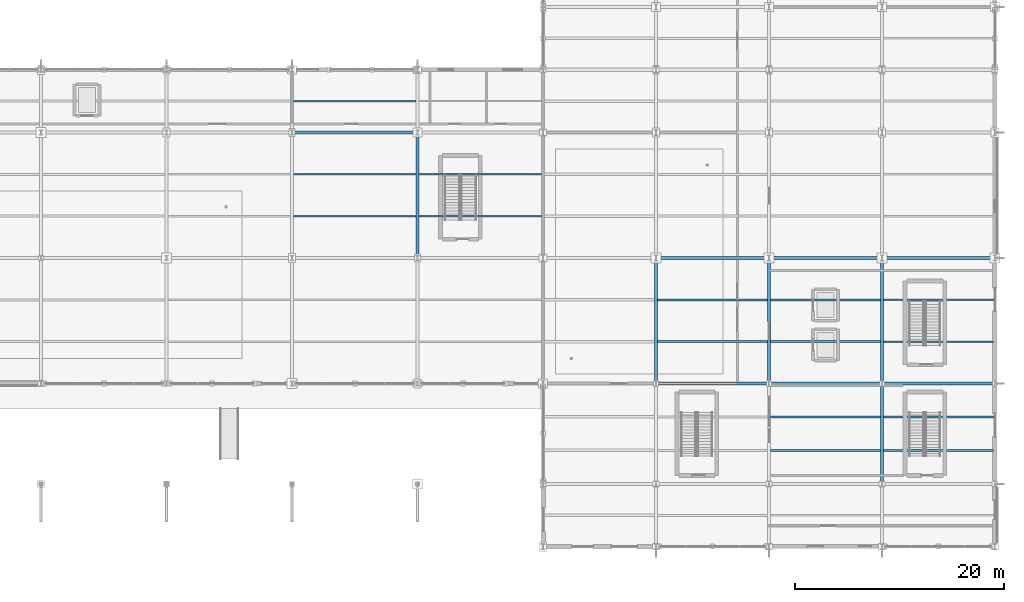
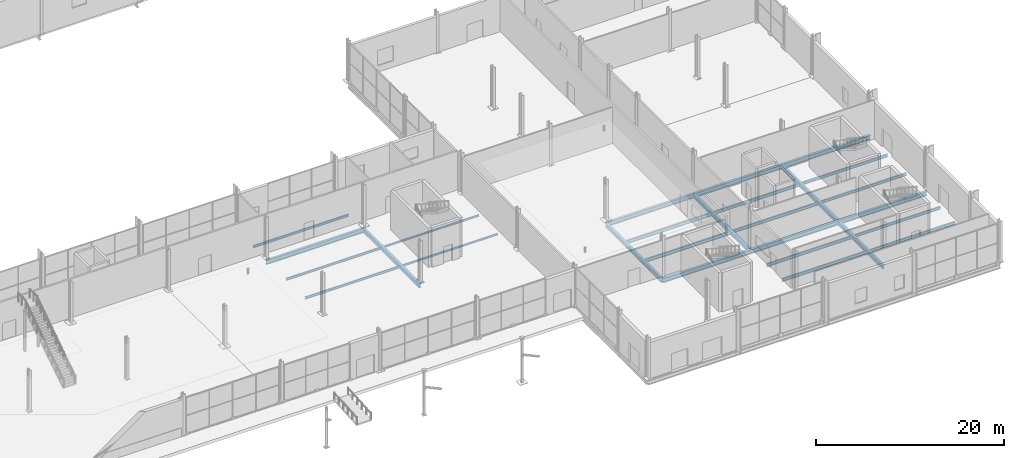
# One storey, part 133 of 196: 27 beams.
"""IFC4 building model written with IfcOpenShell, lengths in metres."""

from ifc_helpers import new_model, si_unit, direction, frame, origin, origin_2d, place, context, subcontext, project, spatial, i_section, extrude, material, material_profile, profile_set, type_object, element, save


model = new_model("IFC4")

# Units and contexts
model_context = context("Model", 3, precision=1e-05, world=origin(), true_north=direction((0.0, 1.0)))
body_context = subcontext(model_context, "Body", "Model", "MODEL_VIEW")
ifc_project = project(units=[si_unit("LENGTHUNIT", "METRE"), si_unit("AREAUNIT", "SQUARE_METRE"), si_unit("VOLUMEUNIT", "CUBIC_METRE"), si_unit("PLANEANGLEUNIT", "RADIAN"), si_unit("MASSUNIT", "GRAM", prefix="KILO")], contexts=[model_context])

# Site, building, storey
site_placement = place(None, origin())
site = spatial("IfcSite", under=ifc_project, at=site_placement, CompositionType="ELEMENT")
building_placement = place(site_placement, origin())
building = spatial("IfcBuilding", under=site, at=building_placement, Name="Merenkruunu Market Hall", CompositionType="ELEMENT")
storey_placement = place(building_placement, origin())
storey = spatial("IfcBuildingStorey", under=building, at=storey_placement, Name="L00", CompositionType="ELEMENT", Elevation=0.0)

# Beams
ifc_material = material(Name="Steel S355J2", Category="steel")
ifc_material_profile_1 = material_profile(ifc_material, i_section(OverallWidth=0.300048828125, OverallDepth=0.550048828125, WebThickness=0.014892578125, FlangeThickness=0.029052734375, FilletRadius=0.027099609375, at=origin_2d()), Name="HEB 550")
ifc_profile_set_1 = profile_set([ifc_material_profile_1], Name="Steel S355J2")
beam_type_1 = type_object("IfcBeamType", Name="Primary Floor Girder B02", PredefinedType="BEAM", material=ifc_profile_set_1)
beam_1_placement = place(storey_placement, frame((159.60009765625, 15.60009765625, -0.574951171875), z_axis=(1.0, 0.0, 0.0), x_axis=(0.0, 1.0, 0.0)))
element("IfcBeam", 1, at=beam_1_placement, inside=storey, type_object=beam_type_1, Name="BM-L00-B02-0024", PredefinedType="BEAM", context=body_context, shape_type="SweptSolid", body=[
    extrude(i_section(OverallWidth=0.300048828125, OverallDepth=0.550048828125, WebThickness=0.014892578125, FlangeThickness=0.029052734375, FilletRadius=0.027099609375, at=origin_2d()), origin(), (0.0, 0.0, 1.0), 10.7998046875),
])
for number, where, z_axis, x_axis, name in (
    (2, (170.39990234375, 15.60009765625, -0.574951171875), (1.0, 0.0, 0.0), (0.0, 1.0, 0.0), "BM-L00-B02-0025"),
    (3, (181.199951171875, 15.60009765625, -0.574951171875), (1.0, 0.0, 0.0), (0.0, 1.0, 0.0), "BM-L00-B02-0026"),
):
    element("IfcBeam", number, at=place(storey_placement, frame(where, z_axis=z_axis, x_axis=x_axis)), inside=storey, type_object=beam_type_1, Name=name, PredefinedType="BEAM", context=body_context, shape_type="SweptSolid", body=[
        extrude(i_section(OverallWidth=0.300048828125, OverallDepth=0.550048828125, WebThickness=0.014892578125, FlangeThickness=0.029052734375, FilletRadius=0.027099609375, at=origin_2d()), origin(), (0.0, 0.0, 1.0), 10.800048828125),
    ])
beam_2_placement = place(storey_placement, frame((159.60009765625, 27.60009765625, -0.574951171875), z_axis=(1.0, 0.0, 0.0), x_axis=(0.0, 1.0, 0.0)))
element("IfcBeam", 4, at=beam_2_placement, inside=storey, type_object=beam_type_1, Name="BM-L00-B02-0042", PredefinedType="BEAM", context=body_context, shape_type="SweptSolid", body=[
    extrude(i_section(OverallWidth=0.300048828125, OverallDepth=0.550048828125, WebThickness=0.014892578125, FlangeThickness=0.029052734375, FilletRadius=0.027099609375, at=origin_2d()), origin(), (0.0, 0.0, 1.0), 10.7998046875),
])
for number, where, z_axis, x_axis, name in (
    (5, (170.39990234375, 27.60009765625, -0.574951171875), (1.0, 0.0, 0.0), (0.0, 1.0, 0.0), "BM-L00-B02-0043"),
    (6, (181.199951171875, 27.60009765625, -0.574951171875), (1.0, 0.0, 0.0), (0.0, 1.0, 0.0), "BM-L00-B02-0044"),
):
    element("IfcBeam", number, at=place(storey_placement, frame(where, z_axis=z_axis, x_axis=x_axis)), inside=storey, type_object=beam_type_1, Name=name, PredefinedType="BEAM", context=body_context, shape_type="SweptSolid", body=[
        extrude(i_section(OverallWidth=0.300048828125, OverallDepth=0.550048828125, WebThickness=0.014892578125, FlangeThickness=0.029052734375, FilletRadius=0.027099609375, at=origin_2d()), origin(), (0.0, 0.0, 1.0), 10.800048828125),
    ])
beam_3_placement = place(storey_placement, frame((124.800048828125, 39.60009765625, -0.574951171875), z_axis=(1.0, 0.0, 0.0), x_axis=(0.0, 1.0, 0.0)))
element("IfcBeam", 7, at=beam_3_placement, inside=storey, type_object=beam_type_1, Name="BM-L00-B02-0057", PredefinedType="BEAM", context=body_context, shape_type="SweptSolid", body=[
    extrude(i_section(OverallWidth=0.300048828125, OverallDepth=0.550048828125, WebThickness=0.014892578125, FlangeThickness=0.029052734375, FilletRadius=0.027099609375, at=origin_2d()), origin(), (0.0, 0.0, 1.0), 12.0),
])
ifc_material_profile_2 = material_profile(ifc_material, i_section(OverallWidth=0.300048828125, OverallDepth=0.5400390625, WebThickness=0.012451171875, FlangeThickness=0.02392578125, FilletRadius=0.027099609375, at=origin_2d()), Name="HEA 550")
ifc_profile_set_2 = profile_set([ifc_material_profile_2], Name="Steel S355J2")
beam_type_2 = type_object("IfcBeamType", Name="Primary Floor Girder B06", PredefinedType="BEAM", material=ifc_profile_set_2)
for number, where, z_axis, x_axis, name in (
    (8, (136.800048828125, 27.60009765625, -0.570068359375), (0.0, 1.0, 0.0), (-1.0, 0.0, 0.0), "BM-L00-B06-0234"),
    (9, (159.60009765625, 15.60009765625, -0.570068359375), (0.0, 1.0, 0.0), (-1.0, 0.0, 0.0), "BM-L00-B06-0248"),
    (10, (170.39990234375, 15.60009765625, -0.570068359375), (0.0, 1.0, 0.0), (-1.0, 0.0, 0.0), "BM-L00-B06-0255"),
):
    element("IfcBeam", number, at=place(storey_placement, frame(where, z_axis=z_axis, x_axis=x_axis)), inside=storey, type_object=beam_type_2, Name=name, PredefinedType="BEAM", context=body_context, shape_type="SweptSolid", body=[
        extrude(i_section(OverallWidth=0.300048828125, OverallDepth=0.5400390625, WebThickness=0.012451171875, FlangeThickness=0.02392578125, FilletRadius=0.027099609375, at=origin_2d()), origin(), (0.0, 0.0, 1.0), 12.0),
    ])
beam_4_placement = place(storey_placement, frame((181.199951171875, 6.0, -0.570068359375), z_axis=(0.0, 1.0, 0.0), x_axis=(-1.0, 0.0, 0.0)))
element("IfcBeam", 11, at=beam_4_placement, inside=storey, type_object=beam_type_2, Name="BM-L00-B06-0261", PredefinedType="BEAM", context=body_context, shape_type="SweptSolid", body=[
    extrude(i_section(OverallWidth=0.300048828125, OverallDepth=0.5400390625, WebThickness=0.012451171875, FlangeThickness=0.02392578125, FilletRadius=0.027099609375, at=origin_2d()), origin(), (0.0, 0.0, 1.0), 9.60009765625),
])
beam_5_placement = place(storey_placement, frame((181.199951171875, 15.60009765625, -0.570068359375), z_axis=(0.0, 1.0, 0.0), x_axis=(-1.0, 0.0, 0.0)))
element("IfcBeam", 12, at=beam_5_placement, inside=storey, type_object=beam_type_2, Name="BM-L00-B06-0262", PredefinedType="BEAM", context=body_context, shape_type="SweptSolid", body=[
    extrude(i_section(OverallWidth=0.300048828125, OverallDepth=0.5400390625, WebThickness=0.012451171875, FlangeThickness=0.02392578125, FilletRadius=0.027099609375, at=origin_2d()), origin(), (0.0, 0.0, 1.0), 12.0),
])
ifc_material_profile_3 = material_profile(ifc_material, i_section(OverallWidth=0.18994140625, OverallDepth=0.449951171875, WebThickness=0.009521484375, FlangeThickness=0.0146484375, FilletRadius=0.02099609375, at=origin_2d()), Name="IPE 450")
ifc_profile_set_3 = profile_set([ifc_material_profile_3], Name="Steel S355J2")
beam_type_3 = type_object("IfcBeamType", Name="Secondary Floor Joist J01", PredefinedType="JOIST", material=ifc_profile_set_3)
for number, where, z_axis, x_axis, name in (
    (13, (159.7529296875, 19.60009765625, -0.52490234375), (1.0, 0.0, 0.0), (0.0, 1.0, 0.0), "BM-L00-J01-0436"),
    (14, (159.7529296875, 23.60009765625, -0.52490234375), (1.0, 0.0, 0.0), (0.0, 1.0, 0.0), "BM-L00-J01-0437"),
):
    element("IfcBeam", number, at=place(storey_placement, frame(where, z_axis=z_axis, x_axis=x_axis)), inside=storey, type_object=beam_type_3, Name=name, PredefinedType="JOIST", context=body_context, shape_type="SweptSolid", body=[
        extrude(i_section(OverallWidth=0.18994140625, OverallDepth=0.449951171875, WebThickness=0.009521484375, FlangeThickness=0.0146484375, FilletRadius=0.02099609375, at=origin_2d()), origin(), (0.0, 0.0, 1.0), 10.494140625),
    ])
ifc_material_profile_4 = material_profile(ifc_material, i_section(OverallWidth=0.179931640625, OverallDepth=0.39990234375, WebThickness=0.008544921875, FlangeThickness=0.013427734375, FilletRadius=0.02099609375, at=origin_2d()), Name="IPE 400")
ifc_profile_set_4 = profile_set([ifc_material_profile_4], Name="Steel S355J2")
beam_type_4 = type_object("IfcBeamType", Name="Secondary Floor Joist J02", PredefinedType="JOIST", material=ifc_profile_set_4)
for number, where, z_axis, x_axis, name in (
    (15, (170.552978515625, 9.199951171875, -0.5), (1.0, 0.0, 0.0), (0.0, 1.0, 0.0), "BM-L00-J02-0445"),
    (16, (170.552978515625, 12.39990234375, -0.5), (1.0, 0.0, 0.0), (0.0, 1.0, 0.0), "BM-L00-J02-0446"),
    (17, (170.552978515625, 19.60009765625, -0.5), (1.0, 0.0, 0.0), (0.0, 1.0, 0.0), "BM-L00-J02-0447"),
    (18, (170.552978515625, 23.60009765625, -0.5), (1.0, 0.0, 0.0), (0.0, 1.0, 0.0), "BM-L00-J02-0448"),
):
    element("IfcBeam", number, at=place(storey_placement, frame(where, z_axis=z_axis, x_axis=x_axis)), inside=storey, type_object=beam_type_4, Name=name, PredefinedType="JOIST", context=body_context, shape_type="SweptSolid", body=[
        extrude(i_section(OverallWidth=0.179931640625, OverallDepth=0.39990234375, WebThickness=0.008544921875, FlangeThickness=0.013427734375, FilletRadius=0.02099609375, at=origin_2d()), origin(), (0.0, 0.0, 1.0), 10.494140625),
    ])
ifc_material_profile_5 = material_profile(ifc_material, i_section(OverallWidth=0.169921875, OverallDepth=0.360107421875, WebThickness=0.008056640625, FlangeThickness=0.0126953125, FilletRadius=0.01806640625, at=origin_2d()), Name="IPE 360")
ifc_profile_set_5 = profile_set([ifc_material_profile_5], Name="Steel S355J2")
beam_type_5 = type_object("IfcBeamType", Name="Secondary Floor Joist J03", PredefinedType="JOIST", material=ifc_profile_set_5)
for number, where, z_axis, x_axis, name in (
    (19, (181.35302734375, 9.199951171875, -0.47998046875), (1.0, 0.0, 0.0), (0.0, 1.0, 0.0), "BM-L00-J03-0456"),
    (20, (181.35302734375, 12.39990234375, -0.47998046875), (1.0, 0.0, 0.0), (0.0, 1.0, 0.0), "BM-L00-J03-0457"),
    (21, (181.35302734375, 19.60009765625, -0.47998046875), (1.0, 0.0, 0.0), (0.0, 1.0, 0.0), "BM-L00-J03-0458"),
    (22, (181.35302734375, 23.60009765625, -0.47998046875), (1.0, 0.0, 0.0), (0.0, 1.0, 0.0), "BM-L00-J03-0459"),
):
    element("IfcBeam", number, at=place(storey_placement, frame(where, z_axis=z_axis, x_axis=x_axis)), inside=storey, type_object=beam_type_5, Name=name, PredefinedType="JOIST", context=body_context, shape_type="SweptSolid", body=[
        extrude(i_section(OverallWidth=0.169921875, OverallDepth=0.360107421875, WebThickness=0.008056640625, FlangeThickness=0.0126953125, FilletRadius=0.01806640625, at=origin_2d()), origin(), (0.0, 0.0, 1.0), 10.493896484375),
    ])
ifc_material_profile_6 = material_profile(ifc_material, i_section(OverallWidth=0.14990234375, OverallDepth=0.300048828125, WebThickness=0.007080078125, FlangeThickness=0.0107421875, FilletRadius=0.014892578125, at=origin_2d()), Name="IPE 300")
ifc_profile_set_6 = profile_set([ifc_material_profile_6], Name="Steel S355J2")
beam_type_6 = type_object("IfcBeamType", Name="Secondary Floor Joist J04", PredefinedType="JOIST", material=ifc_profile_set_6)
for number, where, z_axis, x_axis, name in (
    (23, (124.952880859375, 31.60009765625, -0.449951171875), (1.0, 0.0, 0.0), (0.0, 1.0, 0.0), "BM-L00-J04-0409"),
    (24, (124.952880859375, 35.60009765625, -0.449951171875), (1.0, 0.0, 0.0), (0.0, 1.0, 0.0), "BM-L00-J04-0410"),
    (25, (124.952880859375, 42.60009765625, -0.449951171875), (1.0, 0.0, 0.0), (0.0, 1.0, 0.0), "BM-L00-J04-0411"),
):
    element("IfcBeam", number, at=place(storey_placement, frame(where, z_axis=z_axis, x_axis=x_axis)), inside=storey, type_object=beam_type_6, Name=name, PredefinedType="JOIST", context=body_context, shape_type="SweptSolid", body=[
        extrude(i_section(OverallWidth=0.14990234375, OverallDepth=0.300048828125, WebThickness=0.007080078125, FlangeThickness=0.0107421875, FilletRadius=0.014892578125, at=origin_2d()), origin(), (0.0, 0.0, 1.0), 11.694091796875),
    ])
ifc_material_profile_7 = material_profile(ifc_material, i_section(OverallWidth=0.1201171875, OverallDepth=0.239990234375, WebThickness=0.006103515625, FlangeThickness=0.009765625, FilletRadius=0.014892578125, at=origin_2d()), Name="IPE 240")
ifc_profile_set_7 = profile_set([ifc_material_profile_7], Name="Steel S355J2")
beam_type_7 = type_object("IfcBeamType", Name="Secondary Floor Joist J05", PredefinedType="JOIST", material=ifc_profile_set_7)
for number, where, z_axis, x_axis, name in (
    (26, (136.952880859375, 31.60009765625, -0.419921875), (1.0, 0.0, 0.0), (0.0, 1.0, 0.0), "BM-L00-J05-0419"),
    (27, (136.952880859375, 35.60009765625, -0.419921875), (1.0, 0.0, 0.0), (0.0, 1.0, 0.0), "BM-L00-J05-0420"),
):
    element("IfcBeam", number, at=place(storey_placement, frame(where, z_axis=z_axis, x_axis=x_axis)), inside=storey, type_object=beam_type_7, Name=name, PredefinedType="JOIST", context=body_context, shape_type="SweptSolid", body=[
        extrude(i_section(OverallWidth=0.1201171875, OverallDepth=0.239990234375, WebThickness=0.006103515625, FlangeThickness=0.009765625, FilletRadius=0.014892578125, at=origin_2d()), origin(), (0.0, 0.0, 1.0), 11.694091796875),
    ])

save(model, "model.ifc")
